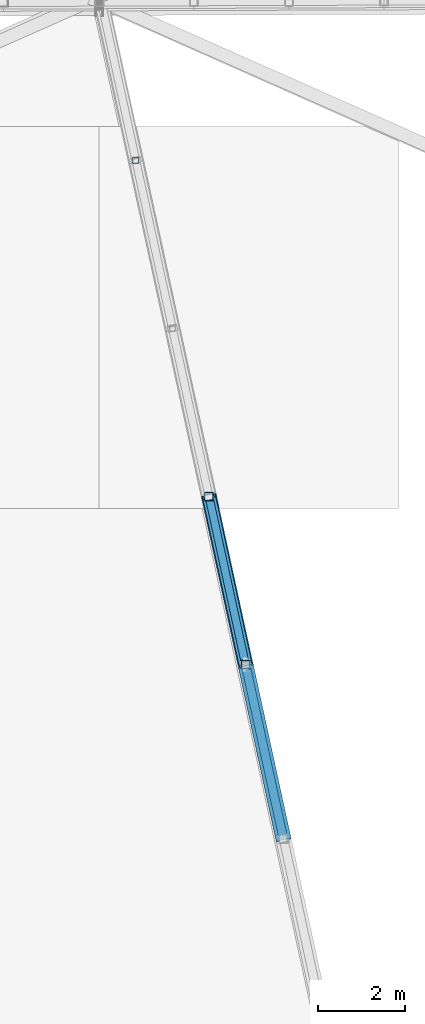
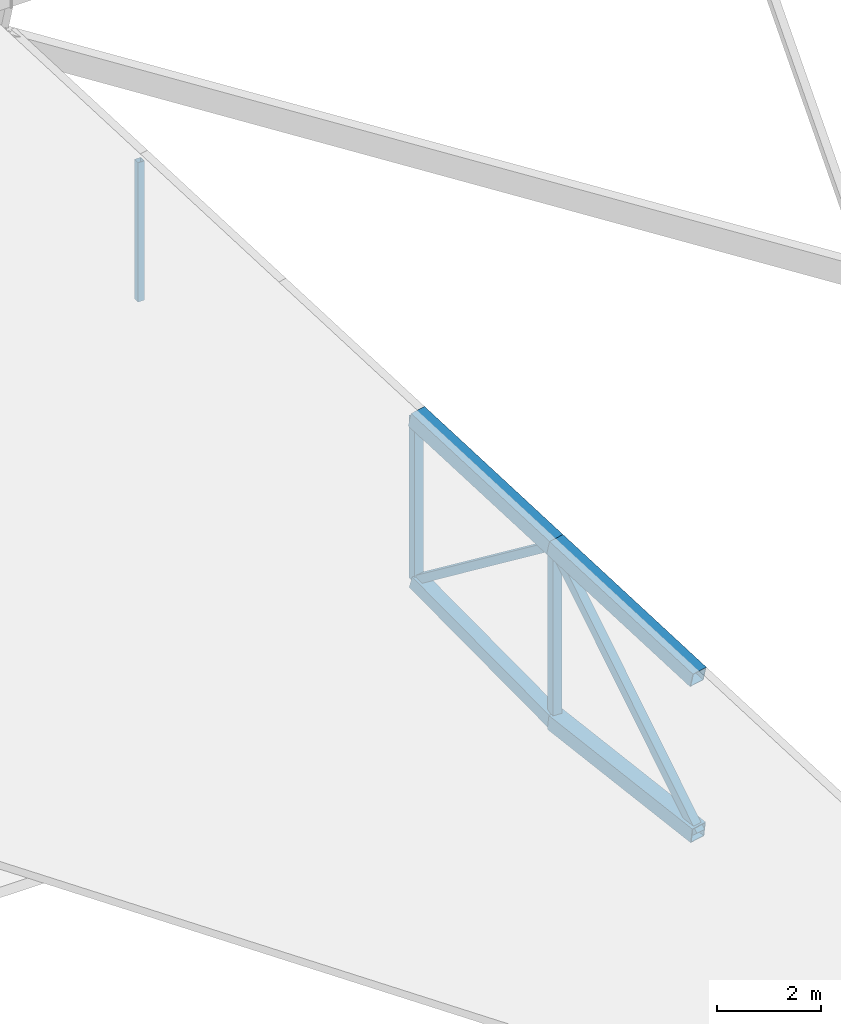
# One storey, part 80 of 188: 9 members.
"""IFC4 building model written with IfcOpenShell, lengths in metres."""

import ifcopenshell
import ifcopenshell.guid

model = None  # the IFC model being written
_history = None  # IfcOwnerHistory: only IFC2X3 demands one
_inside = {}  # id of a spatial element -> (the spatial element, [elements in it])
_under = {}  # id of a project, library or spatial element -> (it, [spatial elements below it])
_declared = {}  # id of a project -> (the project, [libraries it declares])
_typed = {}  # id of a type object -> (the type object, [elements of that type])
_made_of = {}  # id of a material, layer set ... -> (it, [elements and type objects made of it])


def new_model(schema):
    """Start an empty IFC model of exactly this schema.

    Asked for "IFC4X3", IfcOpenShell would pick the latest addendum, in which some entities
    have other attributes; the version numbers below select the first issue.
    IFC2X3 requires an IfcOwnerHistory on every rooted entity: one is made here for all.
    """
    global model, _history
    if schema == "IFC4X3":
        model = ifcopenshell.file(schema_version=(4, 3, 0, 0))
    else:
        model = ifcopenshell.file(schema=schema)
    _inside.clear()
    _under.clear()
    _declared.clear()
    _typed.clear()
    _made_of.clear()
    _history = None
    if model.schema == "IFC2X3":
        org = make("IfcOrganization", Name="unknown")
        user = make(
            "IfcPersonAndOrganization",
            ThePerson=make("IfcPerson", FamilyName="unknown"),
            TheOrganization=org,
        )
        app = make(
            "IfcApplication",
            ApplicationDeveloper=org,
            Version="unknown",
            ApplicationFullName="unknown",
            ApplicationIdentifier="unknown",
        )
        _history = make(
            "IfcOwnerHistory",
            OwningUser=user,
            OwningApplication=app,
            ChangeAction="ADDED",
            CreationDate=0,
        )
    return model


def make(cls, **values):
    """One entity of the class cls with the attributes given. An attribute that is None is left unset."""
    return model.create_entity(
        cls, **{name: value for name, value in values.items() if value is not None}
    )


def rooted(cls, **values):
    """An entity with a GlobalId (a new one), such as an element, a storey or a relation."""
    return make(cls, GlobalId=ifcopenshell.guid.new(), OwnerHistory=_history, **values)


def si_unit(unit_type, name, prefix=None):
    """IfcSIUnit, for example si_unit("LENGTHUNIT", "METRE", prefix="MILLI")."""
    return make("IfcSIUnit", UnitType=unit_type, Prefix=prefix, Name=name)


def assignment(units):
    """IfcUnitAssignment: the units of a project."""
    return None if units is None else make("IfcUnitAssignment", Units=units)


def point(xyz):
    """IfcCartesianPoint."""
    return None if xyz is None else make("IfcCartesianPoint", Coordinates=xyz)


def direction(xyz):
    """IfcDirection."""
    return None if xyz is None else make("IfcDirection", DirectionRatios=xyz)


def frame(location, z_axis=None, x_axis=None):
    """IfcAxis2Placement3D, a coordinate frame: its origin and axes. An axis left out is left unset."""
    return make(
        "IfcAxis2Placement3D",
        Location=point(location),
        Axis=direction(z_axis),
        RefDirection=direction(x_axis),
    )


def frame_2d(location, x_axis=None):
    """IfcAxis2Placement2D, a coordinate frame in the plane: its origin and x axis."""
    return make(
        "IfcAxis2Placement2D", Location=point(location), RefDirection=direction(x_axis)
    )


def origin():
    """The frame at (0, 0, 0) with its axes left unset."""
    return frame((0.0, 0.0, 0.0))


def origin_2d():
    """The frame at (0, 0) in the plane with its x axis left unset."""
    return frame_2d((0.0, 0.0))


def place(relative_to, where):
    """IfcLocalPlacement: puts the frame where relative to a parent placement (None: the world)."""
    return make(
        "IfcLocalPlacement", PlacementRelTo=relative_to, RelativePlacement=where
    )


def context(
    kind, dimensions, precision=None, world=None, true_north=None, identifier=None
):
    """IfcGeometricRepresentationContext, for example the 3D "Model" context."""
    return make(
        "IfcGeometricRepresentationContext",
        ContextIdentifier=identifier,
        ContextType=kind,
        CoordinateSpaceDimension=dimensions,
        Precision=precision,
        WorldCoordinateSystem=world,
        TrueNorth=true_north,
    )


def subcontext(parent, identifier, kind, view, scale=None):
    """IfcGeometricRepresentationSubContext, for example "Body" below "Model"."""
    return make(
        "IfcGeometricRepresentationSubContext",
        ContextIdentifier=identifier,
        ContextType=kind,
        ParentContext=parent,
        TargetScale=scale,
        TargetView=view,
    )


def project(units=None, contexts=None):
    """IfcProject with its units and contexts."""
    return rooted(
        "IfcProject",
        Name="project",
        RepresentationContexts=contexts,
        UnitsInContext=assignment(units),
    )


def spatial(cls, under=None, at=None, **own):
    """A site, building, storey or space (cls), placed at a placement, below another one or the project."""
    s = rooted(cls, ObjectPlacement=at, **own)
    if under is not None:
        _under.setdefault(under.id(), (under, []))[1].append(s)
    return s


def profile(cls, at=None, kind="AREA", **sizes):
    """A parametric profile (cls). Its sizes go by their IFC names, for example OverallWidth=200.0."""
    return make(cls, ProfileType=kind, Position=at, **sizes)


def hollow_rectangle(**sizes):
    """IfcRectangleHollowProfileDef."""
    return profile("IfcRectangleHollowProfileDef", **sizes)


def extrude(swept, where, along, depth):
    """IfcExtrudedAreaSolid: the profile swept, set in the frame where, extruded along a direction by depth."""
    return make(
        "IfcExtrudedAreaSolid",
        SweptArea=swept,
        Position=where,
        ExtrudedDirection=direction(along),
        Depth=depth,
    )


def shape(context_of_items, identifier, shape_type, items):
    """IfcShapeRepresentation: the items that make up one representation, for example the "Body"."""
    return make(
        "IfcShapeRepresentation",
        ContextOfItems=context_of_items,
        RepresentationIdentifier=identifier,
        RepresentationType=shape_type,
        Items=items,
    )


def material(Name=None, Category=None):
    """IfcMaterial."""
    return make("IfcMaterial", Name=Name, Category=Category)


def material_profile(
    of_material, cross_section, Name=None, Category=None, Priority=None
):
    """IfcMaterialProfile: a cross section and its material."""
    return make(
        "IfcMaterialProfile",
        Name=Name,
        Material=of_material,
        Profile=cross_section,
        Priority=Priority,
        Category=Category,
    )


def profile_set(profiles, Name=None, composite=None):
    """IfcMaterialProfileSet."""
    return make(
        "IfcMaterialProfileSet",
        Name=Name,
        MaterialProfiles=profiles,
        CompositeProfile=composite,
    )


def made_of(thing, what):
    """Note that an element or type object is made of a material, layer set ...; save() writes the relation."""
    if what is not None:
        _made_of.setdefault(what.id(), (what, []))[1].append(thing)
    return thing


def type_object(cls, material=None, **own):
    """A type object (cls), such as IfcWallType, which elements share."""
    return made_of(rooted(cls, **own), material)


def element(
    cls,
    number,
    at=None,
    inside=None,
    cuts=None,
    type_object=None,
    material=None,
    context=None,
    identifier="Body",
    shape_type=None,
    held_by="IfcProductDefinitionShape",
    body=None,
    shapes=None,
    **own,
):
    """One element of the class cls, such as IfcWall. Its Tag is "e" and its number.

    at: its placement. inside: the storey or other place that contains it. cuts: it is an
    opening in that element (IfcRelVoidsElement). A single representation is given by context,
    identifier, shape_type and body (its items); several are given by shapes. held_by: the class
    of the entity that holds the representations. save() writes the other relations.
    """
    e = rooted(cls, Tag="e%d" % number, ObjectPlacement=at, **own)
    if body is not None:
        shapes = [shape(context, identifier, shape_type, body)]
    if shapes is not None:
        e.Representation = make(held_by, Representations=shapes)
    if inside is not None:
        _inside.setdefault(inside.id(), (inside, []))[1].append(e)
    if cuts is not None:
        rooted(
            "IfcRelVoidsElement", RelatingBuildingElement=cuts, RelatedOpeningElement=e
        )
    if type_object is not None:
        _typed.setdefault(type_object.id(), (type_object, []))[1].append(e)
    return made_of(e, material)


def aggregate(whole, parts):
    """IfcRelAggregates: a whole, such as a stair, and the parts it consists of."""
    return rooted("IfcRelAggregates", RelatingObject=whole, RelatedObjects=parts)


def save(model, path):
    """Write the relations noted so far, then the file.

    IfcRelAggregates (storeys below a building ...), IfcRelContainedInSpatialStructure (elements
    in a storey), IfcRelDefinesByType, IfcRelAssociatesMaterial and IfcRelDeclares: one each for
    every whole, place, type object, material and project.
    """
    for whole, parts in _under.values():
        aggregate(whole, parts)
    for where, things in _inside.values():
        rooted(
            "IfcRelContainedInSpatialStructure",
            RelatedElements=things,
            RelatingStructure=where,
        )
    for kind, things in _typed.values():
        rooted("IfcRelDefinesByType", RelatedObjects=things, RelatingType=kind)
    for what, things in _made_of.values():
        rooted("IfcRelAssociatesMaterial", RelatedObjects=things, RelatingMaterial=what)
    for by, libraries in _declared.values():
        rooted("IfcRelDeclares", RelatingContext=by, RelatedDefinitions=libraries)
    model.write(path)


model = new_model("IFC4")

# Units and contexts
model_context = context("Model", 3, precision=1e-05, world=origin(), true_north=direction((0.0, 1.0)))
body_context = subcontext(model_context, "Body", "Model", "MODEL_VIEW")
ifc_project = project(units=[si_unit("LENGTHUNIT", "METRE"), si_unit("AREAUNIT", "SQUARE_METRE"), si_unit("VOLUMEUNIT", "CUBIC_METRE"), si_unit("PLANEANGLEUNIT", "RADIAN"), si_unit("MASSUNIT", "GRAM", prefix="KILO")], contexts=[model_context])

# Site, building, storey
site_placement = place(None, origin())
site = spatial("IfcSite", under=ifc_project, at=site_placement, CompositionType="ELEMENT")
building_placement = place(site_placement, origin())
building = spatial("IfcBuilding", under=site, at=building_placement, Name="Meseta Stadium", CompositionType="ELEMENT")
storey_placement = place(building_placement, frame((0.0, 0.0, 30.0)))
storey = spatial("IfcBuildingStorey", under=building, at=storey_placement, Name="ROOF", CompositionType="ELEMENT", Elevation=30.0)

# Members
ifc_material_1 = material(Name="Steel S355", Category="steel")
ifc_material_profile_1 = material_profile(ifc_material_1, hollow_rectangle(XDim=0.139892578125, YDim=0.139892578125, WallThickness=0.0048828125, at=origin_2d()), Name="SHS 140x140x5")
ifc_profile_set_1 = profile_set([ifc_material_profile_1], Name="Steel S355")
member_type_1 = type_object("IfcMemberType", Name="SHS 140x140x5 post", PredefinedType="POST", material=ifc_profile_set_1)
member_1_placement = place(storey_placement, frame((-22.156982421875, 101.52587890625, 6.246826171875), z_axis=(0.0, 0.0, 1.0), x_axis=(1.0, 0.0, 0.0)))
element("IfcMember", 1, at=member_1_placement, inside=storey, type_object=member_type_1, Name="ROOF TRUSS RT-20 post", PredefinedType="POST", context=body_context, shape_type="SweptSolid", body=[
    extrude(hollow_rectangle(XDim=0.139892578125, YDim=0.139892578125, WallThickness=0.0048828125, at=origin_2d()), origin(), (0.0, 0.0, 1.0), 3.2763671875),
])
ifc_material_2 = material(Name="Steel S355", Category="steel")
ifc_material_profile_2 = material_profile(ifc_material_2, hollow_rectangle(XDim=0.179931640625, YDim=0.179931640625, WallThickness=0.00634765625, at=origin_2d()), Name="SHS 180x180x6.3")
ifc_profile_set_2 = profile_set([ifc_material_profile_2], Name="Steel S355")
member_type_2 = type_object("IfcMemberType", Name="SHS 180x180x6.3 diagonal", PredefinedType="BRACE", material=ifc_profile_set_2)
member_2_placement = place(storey_placement, frame((-19.62744140625, 89.90380859375, 6.6474609375), z_axis=(-0.172285489606, 0.791495700365, -0.58638917655), x_axis=(-0.977119641805, -0.212690398462, 0.0)))
element("IfcMember", 2, at=member_2_placement, inside=storey, type_object=member_type_2, Name="ROOF TRUSS RT-20 diagonal", PredefinedType="BRACE", context=body_context, shape_type="SweptSolid", body=[
    extrude(hollow_rectangle(XDim=0.179931640625, YDim=0.179931640625, WallThickness=0.00634765625, at=origin_2d()), origin(), (0.0, 0.0, 1.0), 4.89453125),
])
ifc_material_3 = material(Name="Steel S355", Category="steel")
ifc_material_profile_3 = material_profile(ifc_material_3, hollow_rectangle(XDim=0.199951171875, YDim=0.199951171875, WallThickness=0.008056640625, at=origin_2d()), Name="SHS 200x200x8")
ifc_profile_set_3 = profile_set([ifc_material_profile_3], Name="Steel S355")
member_type_3 = type_object("IfcMemberType", Name="SHS 200x200x8 diagonal", PredefinedType="BRACE", material=ifc_profile_set_3)
member_3_placement = place(storey_placement, frame((-18.754638671875, 85.892578125, 2.0009765625), z_axis=(-0.140771757036, 0.646959431638, 0.749417644732), x_axis=(-0.9771360896, -0.212614821687, 0.0)))
element("IfcMember", 3, at=member_3_placement, inside=storey, type_object=member_type_3, Name="ROOF TRUSS RT-20 diagonal", PredefinedType="BRACE", context=body_context, shape_type="SweptSolid", body=[
    extrude(hollow_rectangle(XDim=0.199951171875, YDim=0.199951171875, WallThickness=0.008056640625, at=origin_2d()), origin(), (0.0, 0.0, 1.0), 6.2001953125),
])
ifc_material_4 = material(Name="Steel S355", Category="steel")
ifc_material_profile_4 = material_profile(ifc_material_4, hollow_rectangle(XDim=0.199951171875, YDim=0.199951171875, WallThickness=0.008056640625, at=origin_2d()), Name="SHS 200x200x8")
ifc_profile_set_4 = profile_set([ifc_material_profile_4], Name="Steel S355")
member_type_4 = type_object("IfcMemberType", Name="SHS 200x200x8 post", PredefinedType="POST", material=ifc_profile_set_4)
member_4_placement = place(storey_placement, frame((-19.62744140625, 89.90380859375, 2.54248046875), z_axis=(0.0, 0.0, 1.0), x_axis=(1.0, 0.0, 0.0)))
element("IfcMember", 4, at=member_4_placement, inside=storey, type_object=member_type_4, Name="ROOF TRUSS RT-20 post", PredefinedType="POST", context=body_context, shape_type="SweptSolid", body=[
    extrude(hollow_rectangle(XDim=0.199951171875, YDim=0.199951171875, WallThickness=0.008056640625, at=origin_2d()), origin(), (0.0, 0.0, 1.0), 4.10498046875),
])
member_5_placement = place(storey_placement, frame((-20.470703125, 93.77783203125, 3.77734375), z_axis=(0.0, 0.0, 1.0), x_axis=(1.0, 0.0, 0.0)))
element("IfcMember", 5, at=member_5_placement, inside=storey, type_object=member_type_4, Name="ROOF TRUSS RT-20 post", PredefinedType="POST", context=body_context, shape_type="SweptSolid", body=[
    extrude(hollow_rectangle(XDim=0.199951171875, YDim=0.199951171875, WallThickness=0.008056640625, at=origin_2d()), origin(), (0.0, 0.0, 1.0), 3.828857421875),
])
ifc_material_5 = material(Name="Steel S355", Category="steel")
ifc_material_profile_5 = material_profile(ifc_material_5, hollow_rectangle(XDim=0.300048828125, YDim=0.300048828125, WallThickness=0.010009765625, at=origin_2d()), Name="SHS 300x300x10")
ifc_profile_set_5 = profile_set([ifc_material_profile_5], Name="Steel S355")
member_type_5 = type_object("IfcMemberType", Name="SHS 300x300x10 bottom chord", PredefinedType="CHORD", material=ifc_profile_set_5)
member_6_placement = place(storey_placement, frame((-19.62744140625, 89.90380859375, 2.54248046875), z_axis=(-0.203068674652, 0.932916540061, 0.297371556568), x_axis=(-0.977119641805, -0.212690398462, 0.0)))
element("IfcMember", 6, at=member_6_placement, inside=storey, type_object=member_type_5, Name="ROOF TRUSS RT-20 bottom chord", PredefinedType="CHORD", context=body_context, shape_type="SweptSolid", body=[
    extrude(hollow_rectangle(XDim=0.300048828125, YDim=0.300048828125, WallThickness=0.010009765625, at=origin_2d()), origin(), (0.0, 0.0, 1.0), 4.152587890625),
])
ifc_material_6 = material(Name="Steel S355", Category="steel")
ifc_material_profile_6 = material_profile(ifc_material_6, hollow_rectangle(XDim=0.35009765625, YDim=0.35009765625, WallThickness=0.01416015625, at=origin_2d()), Name="SHS 350x350x14.2")
ifc_profile_set_6 = profile_set([ifc_material_profile_6], Name="Steel S355")
member_type_6 = type_object("IfcMemberType", Name="SHS 350x350x14.2 bottom chord", PredefinedType="CHORD", material=ifc_profile_set_6)
member_7_placement = place(storey_placement, frame((-18.754638671875, 85.892578125, 2.0009765625), z_axis=(-0.210788830599, 0.968744192098, 0.130777517838), x_axis=(-0.9771360896, -0.212614821687, 0.0)))
element("IfcMember", 7, at=member_7_placement, inside=storey, type_object=member_type_6, Name="ROOF TRUSS RT-20 bottom chord", PredefinedType="CHORD", context=body_context, shape_type="SweptSolid", body=[
    extrude(hollow_rectangle(XDim=0.35009765625, YDim=0.35009765625, WallThickness=0.01416015625, at=origin_2d()), origin(), (0.0, 0.0, 1.0), 4.140625),
])
ifc_material_7 = material(Name="Steel S355", Category="steel")
ifc_material_profile_7 = material_profile(ifc_material_7, hollow_rectangle(XDim=0.35009765625, YDim=0.35009765625, WallThickness=0.01416015625, at=origin_2d()), Name="SHS 350x350x14.2")
ifc_profile_set_7 = profile_set([ifc_material_profile_7], Name="Steel S355")
member_type_7 = type_object("IfcMemberType", Name="SHS 350x350x14.2 top chord", PredefinedType="CHORD", material=ifc_profile_set_7)
member_8_placement = place(storey_placement, frame((-18.754638671875, 85.892578125, 5.6552734375), z_axis=(-0.206664102721, 0.949787750407, 0.234932283485), x_axis=(-0.9771360896, -0.212614821687, 0.0)))
element("IfcMember", 8, at=member_8_placement, inside=storey, type_object=member_type_7, Name="ROOF TRUSS RT-20 top chord", PredefinedType="CHORD", context=body_context, shape_type="SweptSolid", body=[
    extrude(hollow_rectangle(XDim=0.35009765625, YDim=0.35009765625, WallThickness=0.01416015625, at=origin_2d()), origin(), (0.0, 0.0, 1.0), 4.223388671875),
])
member_9_placement = place(storey_placement, frame((-19.62744140625, 89.90380859375, 6.6474609375), z_axis=(-0.20673190591, 0.949745768087, 0.235042326146), x_axis=(-0.977119641805, -0.212690398462, 0.0)))
element("IfcMember", 9, at=member_9_placement, inside=storey, type_object=member_type_7, Name="ROOF TRUSS RT-20 top chord", PredefinedType="CHORD", context=body_context, shape_type="SweptSolid", body=[
    extrude(hollow_rectangle(XDim=0.35009765625, YDim=0.35009765625, WallThickness=0.01416015625, at=origin_2d()), origin(), (0.0, 0.0, 1.0), 4.0791015625),
])

save(model, "model.ifc")
